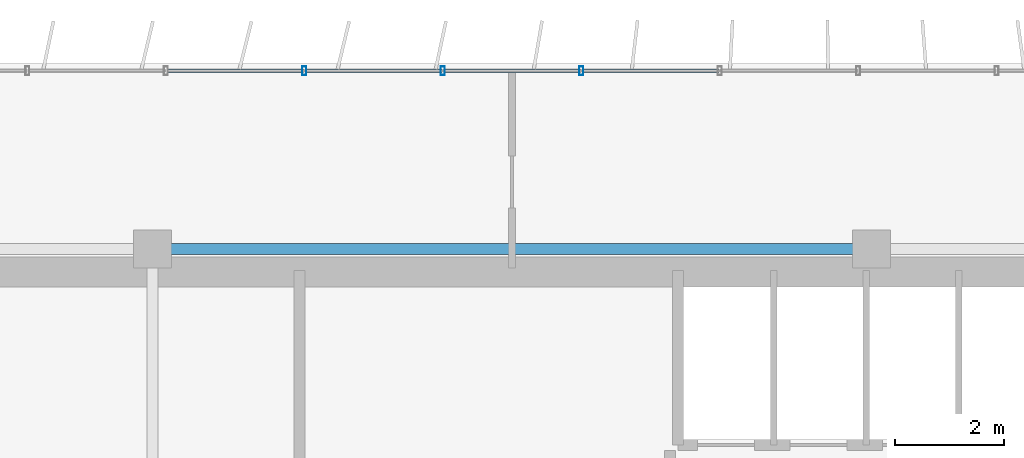
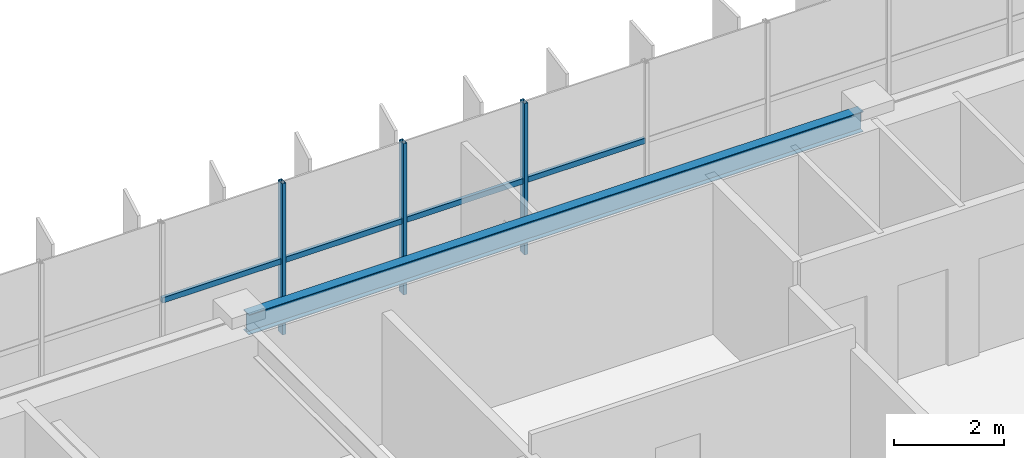
# One storey, part 9 of 23: 7 members, 1 beam, 1 element without a shape of its own.
"""IFC4 building model written with IfcOpenShell, lengths in metres."""

import ifcopenshell
import ifcopenshell.guid

model = None  # the IFC model being written
_history = None  # IfcOwnerHistory: only IFC2X3 demands one
_inside = {}  # id of a spatial element -> (the spatial element, [elements in it])
_under = {}  # id of a project, library or spatial element -> (it, [spatial elements below it])
_declared = {}  # id of a project -> (the project, [libraries it declares])
_typed = {}  # id of a type object -> (the type object, [elements of that type])
_made_of = {}  # id of a material, layer set ... -> (it, [elements and type objects made of it])


def new_model(schema):
    """Start an empty IFC model of exactly this schema.

    Asked for "IFC4X3", IfcOpenShell would pick the latest addendum, in which some entities
    have other attributes; the version numbers below select the first issue.
    IFC2X3 requires an IfcOwnerHistory on every rooted entity: one is made here for all.
    """
    global model, _history
    if schema == "IFC4X3":
        model = ifcopenshell.file(schema_version=(4, 3, 0, 0))
    else:
        model = ifcopenshell.file(schema=schema)
    _inside.clear()
    _under.clear()
    _declared.clear()
    _typed.clear()
    _made_of.clear()
    _history = None
    if model.schema == "IFC2X3":
        org = make("IfcOrganization", Name="unknown")
        user = make(
            "IfcPersonAndOrganization",
            ThePerson=make("IfcPerson", FamilyName="unknown"),
            TheOrganization=org,
        )
        app = make(
            "IfcApplication",
            ApplicationDeveloper=org,
            Version="unknown",
            ApplicationFullName="unknown",
            ApplicationIdentifier="unknown",
        )
        _history = make(
            "IfcOwnerHistory",
            OwningUser=user,
            OwningApplication=app,
            ChangeAction="ADDED",
            CreationDate=0,
        )
    return model


def make(cls, **values):
    """One entity of the class cls with the attributes given. An attribute that is None is left unset."""
    return model.create_entity(
        cls, **{name: value for name, value in values.items() if value is not None}
    )


def rooted(cls, **values):
    """An entity with a GlobalId (a new one), such as an element, a storey or a relation."""
    return make(cls, GlobalId=ifcopenshell.guid.new(), OwnerHistory=_history, **values)


def si_unit(unit_type, name, prefix=None):
    """IfcSIUnit, for example si_unit("LENGTHUNIT", "METRE", prefix="MILLI")."""
    return make("IfcSIUnit", UnitType=unit_type, Prefix=prefix, Name=name)


def assignment(units):
    """IfcUnitAssignment: the units of a project."""
    return None if units is None else make("IfcUnitAssignment", Units=units)


def point(xyz):
    """IfcCartesianPoint."""
    return None if xyz is None else make("IfcCartesianPoint", Coordinates=xyz)


def direction(xyz):
    """IfcDirection."""
    return None if xyz is None else make("IfcDirection", DirectionRatios=xyz)


def frame(location, z_axis=None, x_axis=None):
    """IfcAxis2Placement3D, a coordinate frame: its origin and axes. An axis left out is left unset."""
    return make(
        "IfcAxis2Placement3D",
        Location=point(location),
        Axis=direction(z_axis),
        RefDirection=direction(x_axis),
    )


def frame_2d(location, x_axis=None):
    """IfcAxis2Placement2D, a coordinate frame in the plane: its origin and x axis."""
    return make(
        "IfcAxis2Placement2D", Location=point(location), RefDirection=direction(x_axis)
    )


def origin():
    """The frame at (0, 0, 0) with its axes left unset."""
    return frame((0.0, 0.0, 0.0))


def origin_2d():
    """The frame at (0, 0) in the plane with its x axis left unset."""
    return frame_2d((0.0, 0.0))


def place(relative_to, where):
    """IfcLocalPlacement: puts the frame where relative to a parent placement (None: the world)."""
    return make(
        "IfcLocalPlacement", PlacementRelTo=relative_to, RelativePlacement=where
    )


def context(
    kind, dimensions, precision=None, world=None, true_north=None, identifier=None
):
    """IfcGeometricRepresentationContext, for example the 3D "Model" context."""
    return make(
        "IfcGeometricRepresentationContext",
        ContextIdentifier=identifier,
        ContextType=kind,
        CoordinateSpaceDimension=dimensions,
        Precision=precision,
        WorldCoordinateSystem=world,
        TrueNorth=true_north,
    )


def subcontext(parent, identifier, kind, view, scale=None):
    """IfcGeometricRepresentationSubContext, for example "Body" below "Model"."""
    return make(
        "IfcGeometricRepresentationSubContext",
        ContextIdentifier=identifier,
        ContextType=kind,
        ParentContext=parent,
        TargetScale=scale,
        TargetView=view,
    )


def project(units=None, contexts=None):
    """IfcProject with its units and contexts."""
    return rooted(
        "IfcProject",
        Name="project",
        RepresentationContexts=contexts,
        UnitsInContext=assignment(units),
    )


def spatial(cls, under=None, at=None, **own):
    """A site, building, storey or space (cls), placed at a placement, below another one or the project."""
    s = rooted(cls, ObjectPlacement=at, **own)
    if under is not None:
        _under.setdefault(under.id(), (under, []))[1].append(s)
    return s


def profile(cls, at=None, kind="AREA", **sizes):
    """A parametric profile (cls). Its sizes go by their IFC names, for example OverallWidth=200.0."""
    return make(cls, ProfileType=kind, Position=at, **sizes)


def hollow_rectangle(**sizes):
    """IfcRectangleHollowProfileDef."""
    return profile("IfcRectangleHollowProfileDef", **sizes)


def i_section(**sizes):
    """IfcIShapeProfileDef."""
    return profile("IfcIShapeProfileDef", **sizes)


def extrude(swept, where, along, depth):
    """IfcExtrudedAreaSolid: the profile swept, set in the frame where, extruded along a direction by depth."""
    return make(
        "IfcExtrudedAreaSolid",
        SweptArea=swept,
        Position=where,
        ExtrudedDirection=direction(along),
        Depth=depth,
    )


def shape(context_of_items, identifier, shape_type, items):
    """IfcShapeRepresentation: the items that make up one representation, for example the "Body"."""
    return make(
        "IfcShapeRepresentation",
        ContextOfItems=context_of_items,
        RepresentationIdentifier=identifier,
        RepresentationType=shape_type,
        Items=items,
    )


def source(mapping_origin, context_of_items, identifier, shape_type, items):
    """IfcRepresentationMap: a shape defined once, which mapped items show again and again."""
    return make(
        "IfcRepresentationMap",
        MappingOrigin=mapping_origin,
        MappedRepresentation=shape(context_of_items, identifier, shape_type, items),
    )


def transform(
    local_origin,
    x_axis=None,
    y_axis=None,
    z_axis=None,
    scale=None,
    scale2=None,
    scale3=None,
    uniform=True,
):
    """IfcCartesianTransformationOperator3D, or its non-uniform kind. x_axis, y_axis, z_axis: its Axis1, 2, 3."""
    if uniform:
        return make(
            "IfcCartesianTransformationOperator3D",
            Axis1=direction(x_axis),
            Axis2=direction(y_axis),
            LocalOrigin=point(local_origin),
            Scale=scale,
            Axis3=direction(z_axis),
        )
    return make(
        "IfcCartesianTransformationOperator3DnonUniform",
        Axis1=direction(x_axis),
        Axis2=direction(y_axis),
        LocalOrigin=point(local_origin),
        Scale=scale,
        Axis3=direction(z_axis),
        Scale2=scale2,
        Scale3=scale3,
    )


def mapped(mapping_source, mapping_target):
    """IfcMappedItem: shows the shape of a source again, moved by a transform."""
    return make(
        "IfcMappedItem", MappingSource=mapping_source, MappingTarget=mapping_target
    )


def material(Name=None, Category=None):
    """IfcMaterial."""
    return make("IfcMaterial", Name=Name, Category=Category)


def material_profile(
    of_material, cross_section, Name=None, Category=None, Priority=None
):
    """IfcMaterialProfile: a cross section and its material."""
    return make(
        "IfcMaterialProfile",
        Name=Name,
        Material=of_material,
        Profile=cross_section,
        Priority=Priority,
        Category=Category,
    )


def profile_set(profiles, Name=None, composite=None):
    """IfcMaterialProfileSet."""
    return make(
        "IfcMaterialProfileSet",
        Name=Name,
        MaterialProfiles=profiles,
        CompositeProfile=composite,
    )


def made_of(thing, what):
    """Note that an element or type object is made of a material, layer set ...; save() writes the relation."""
    if what is not None:
        _made_of.setdefault(what.id(), (what, []))[1].append(thing)
    return thing


def type_object(cls, material=None, **own):
    """A type object (cls), such as IfcWallType, which elements share."""
    return made_of(rooted(cls, **own), material)


def element(
    cls,
    number,
    at=None,
    inside=None,
    cuts=None,
    type_object=None,
    material=None,
    context=None,
    identifier="Body",
    shape_type=None,
    held_by="IfcProductDefinitionShape",
    body=None,
    shapes=None,
    **own,
):
    """One element of the class cls, such as IfcWall. Its Tag is "e" and its number.

    at: its placement. inside: the storey or other place that contains it. cuts: it is an
    opening in that element (IfcRelVoidsElement). A single representation is given by context,
    identifier, shape_type and body (its items); several are given by shapes. held_by: the class
    of the entity that holds the representations. save() writes the other relations.
    """
    e = rooted(cls, Tag="e%d" % number, ObjectPlacement=at, **own)
    if body is not None:
        shapes = [shape(context, identifier, shape_type, body)]
    if shapes is not None:
        e.Representation = make(held_by, Representations=shapes)
    if inside is not None:
        _inside.setdefault(inside.id(), (inside, []))[1].append(e)
    if cuts is not None:
        rooted(
            "IfcRelVoidsElement", RelatingBuildingElement=cuts, RelatedOpeningElement=e
        )
    if type_object is not None:
        _typed.setdefault(type_object.id(), (type_object, []))[1].append(e)
    return made_of(e, material)


def aggregate(whole, parts):
    """IfcRelAggregates: a whole, such as a stair, and the parts it consists of."""
    return rooted("IfcRelAggregates", RelatingObject=whole, RelatedObjects=parts)


def save(model, path):
    """Write the relations noted so far, then the file.

    IfcRelAggregates (storeys below a building ...), IfcRelContainedInSpatialStructure (elements
    in a storey), IfcRelDefinesByType, IfcRelAssociatesMaterial and IfcRelDeclares: one each for
    every whole, place, type object, material and project.
    """
    for whole, parts in _under.values():
        aggregate(whole, parts)
    for where, things in _inside.values():
        rooted(
            "IfcRelContainedInSpatialStructure",
            RelatedElements=things,
            RelatingStructure=where,
        )
    for kind, things in _typed.values():
        rooted("IfcRelDefinesByType", RelatedObjects=things, RelatingType=kind)
    for what, things in _made_of.values():
        rooted("IfcRelAssociatesMaterial", RelatedObjects=things, RelatingMaterial=what)
    for by, libraries in _declared.values():
        rooted("IfcRelDeclares", RelatingContext=by, RelatedDefinitions=libraries)
    model.write(path)


model = new_model("IFC4")

# Units and contexts
model_context = context("Model", 3, precision=1e-05, world=origin(), true_north=direction((0.0, 1.0)))
body_context = subcontext(model_context, "Body", "Model", "MODEL_VIEW")
ifc_project = project(units=[si_unit("LENGTHUNIT", "METRE"), si_unit("AREAUNIT", "SQUARE_METRE"), si_unit("VOLUMEUNIT", "CUBIC_METRE"), si_unit("PLANEANGLEUNIT", "RADIAN"), si_unit("MASSUNIT", "GRAM", prefix="KILO")], contexts=[model_context])

# Site, building, storey
site_placement = place(None, origin())
site = spatial("IfcSite", under=ifc_project, at=site_placement, CompositionType="ELEMENT")
building_placement = place(site_placement, origin())
building = spatial("IfcBuilding", under=site, at=building_placement, Name="Trelvane Seafront Commons", CompositionType="ELEMENT")
storey_placement = place(building_placement, frame((0.0, 0.0, 222.89990234375)))
storey = spatial("IfcBuildingStorey", under=building, at=storey_placement, Name="L58", CompositionType="ELEMENT", Elevation=222.89990234375)

# Beam
ifc_material_1 = material(Name="Steel SM355 (S355)", Category="steel")
ifc_material_profile_1 = material_profile(ifc_material_1, i_section(OverallWidth=0.199951171875, OverallDepth=0.449951171875, WebThickness=0.009033203125, FlangeThickness=0.013916015625, at=origin_2d()), Name="H-450x200x9x14")
ifc_profile_set_1 = profile_set([ifc_material_profile_1], Name="Steel SM355 (S355)")
beam_type = type_object("IfcBeamType", Name="STR-SPD-H450", PredefinedType="SPANDREL", material=ifc_profile_set_1)
shared_shape_1 = source(origin(), body_context, "Body", "SweptSolid", [
    extrude(i_section(OverallWidth=0.199951171875, OverallDepth=0.449951171875, WebThickness=0.009033203125, FlangeThickness=0.013916015625, at=origin_2d()), origin(), (0.0, 0.0, 1.0), 12.89990234375),
])
beam_placement = place(storey_placement, frame((30.75, 45.10009765625, 3.135009765625), z_axis=(1.0, 0.0, 0.0), x_axis=(0.0, 1.0, 0.0)))
element("IfcBeam", 1, at=beam_placement, inside=storey, type_object=beam_type, Name="L58 Primary Girder G-25", PredefinedType="SPANDREL", context=body_context, shape_type="MappedRepresentation", body=[
    mapped(shared_shape_1, transform((0.0, 0.0, 0.0), x_axis=(1.0, 0.0, 0.0), y_axis=(0.0, 1.0, 0.0), z_axis=(0.0, 0.0, 1.0), scale=1.0)),
])

# Curtain wall, members
ifc_material_2 = material(Name="Anodised pale-silver aluminium", Category="aluminium")
curtain_wall_type = type_object("IfcCurtainWallType", Name="ARCH-CW5-UPTOWER", PredefinedType="NOTDEFINED", material=ifc_material_2)
curtain_wall_placement = place(storey_placement, origin())
curtain_wall = element("IfcCurtainWall", 2, at=curtain_wall_placement, inside=storey, type_object=curtain_wall_type, Name="CW-L58-0101", PredefinedType="NOTDEFINED")
ifc_material_profile_2 = material_profile(ifc_material_2, hollow_rectangle(XDim=0.070068359375, YDim=0.1201171875, WallThickness=0.00390625, at=origin_2d()), Name="TRAN-70x120x4")
ifc_profile_set_2 = profile_set([ifc_material_profile_2], Name="Anodised pale-silver aluminium")
member_type_1 = type_object("IfcMemberType", Name="ARCH-CW-TRAN-120", PredefinedType="USERDEFINED", material=ifc_profile_set_2)
shared_shape_2 = source(origin(), body_context, "Body", "SweptSolid", [
    extrude(hollow_rectangle(XDim=0.070068359375, YDim=0.1201171875, WallThickness=0.00390625, at=origin_2d()), origin(), (0.0, 0.0, 1.0), 2.51708984375),
])
member_1_placement = place(storey_placement, frame((30.859130859375, 48.3701171875, 1.613037109375), z_axis=(1.0, 0.0, 0.0), x_axis=(0.0, 1.0, 0.0)))
member_1 = element("IfcMember", 3, at=member_1_placement, type_object=member_type_1, Name="CW-L58-0101-T06", ObjectType="TRANSOM", PredefinedType="USERDEFINED", context=body_context, shape_type="MappedRepresentation", body=[
    mapped(shared_shape_2, transform((0.0, 0.0, 0.0), x_axis=(1.0, 0.0, 0.0), y_axis=(0.0, 1.0, 0.0), z_axis=(0.0, 0.0, 1.0), scale=1.0)),
])
member_2_placement = place(storey_placement, frame((35.94140625, 48.3701171875, 1.613037109375), z_axis=(1.0, 0.0, 0.0), x_axis=(0.0, 1.0, 0.0)))
member_2 = element("IfcMember", 4, at=member_2_placement, type_object=member_type_1, Name="CW-L58-0101-T08", ObjectType="TRANSOM", PredefinedType="USERDEFINED", context=body_context, shape_type="MappedRepresentation", body=[
    mapped(shared_shape_2, transform((0.0, 0.0, 0.0), x_axis=(1.0, 0.0, 0.0), y_axis=(0.0, 1.0, 0.0), z_axis=(0.0, 0.0, 1.0), scale=1.0)),
])
member_3_placement = place(storey_placement, frame((38.482666015625, 48.3701171875, 1.613037109375), z_axis=(1.0, 0.0, 0.0), x_axis=(0.0, 1.0, 0.0)))
member_3 = element("IfcMember", 5, at=member_3_placement, type_object=member_type_1, Name="CW-L58-0101-T09", ObjectType="TRANSOM", PredefinedType="USERDEFINED", context=body_context, shape_type="MappedRepresentation", body=[
    mapped(shared_shape_2, transform((0.0, 0.0, 0.0), x_axis=(1.0, 0.0, 0.0), y_axis=(0.0, 1.0, 0.0), z_axis=(0.0, 0.0, 1.0), scale=1.0)),
])
shared_shape_3 = source(origin(), body_context, "Body", "SweptSolid", [
    extrude(hollow_rectangle(XDim=0.070068359375, YDim=0.1201171875, WallThickness=0.00390625, at=origin_2d()), origin(), (0.0, 0.0, 1.0), 2.517333984375),
])
member_4_placement = place(storey_placement, frame((33.400146484375, 48.3701171875, 1.613037109375), z_axis=(1.0, 0.0, 0.0), x_axis=(0.0, 1.0, 0.0)))
member_4 = element("IfcMember", 6, at=member_4_placement, type_object=member_type_1, Name="CW-L58-0101-T07", ObjectType="TRANSOM", PredefinedType="USERDEFINED", context=body_context, shape_type="MappedRepresentation", body=[
    mapped(shared_shape_3, transform((0.0, 0.0, 0.0), x_axis=(1.0, 0.0, 0.0), y_axis=(0.0, 1.0, 0.0), z_axis=(0.0, 0.0, 1.0), scale=1.0)),
])
ifc_material_profile_3 = material_profile(ifc_material_2, hollow_rectangle(XDim=0.074951171875, YDim=0.159912109375, WallThickness=0.00390625, at=origin_2d()), Name="MULL-75x160x4")
ifc_profile_set_3 = profile_set([ifc_material_profile_3], Name="Anodised pale-silver aluminium")
member_type_2 = type_object("IfcMemberType", Name="ARCH-CW-MULL-160", PredefinedType="MULLION", material=ifc_profile_set_3)
shared_shape_4 = source(origin(), body_context, "Body", "SweptSolid", [
    extrude(hollow_rectangle(XDim=0.074951171875, YDim=0.159912109375, WallThickness=0.00390625, at=origin_2d()), origin(), (0.0, 0.0, 1.0), 3.360107421875),
])
member_5_placement = place(storey_placement, frame((33.38818359375, 48.3701171875, 0.0), z_axis=(0.0, 0.0, 1.0), x_axis=(1.0, 0.0, 0.0)))
member_5 = element("IfcMember", 7, at=member_5_placement, type_object=member_type_2, Name="CW-L58-0101-M07", PredefinedType="MULLION", context=body_context, shape_type="MappedRepresentation", body=[
    mapped(shared_shape_4, transform((0.0, 0.0, 0.0), x_axis=(1.0, 0.0, 0.0), y_axis=(0.0, 1.0, 0.0), z_axis=(0.0, 0.0, 1.0), scale=1.0)),
])
member_6_placement = place(storey_placement, frame((35.929443359375, 48.3701171875, 0.0), z_axis=(0.0, 0.0, 1.0), x_axis=(1.0, 0.0, 0.0)))
member_6 = element("IfcMember", 8, at=member_6_placement, type_object=member_type_2, Name="CW-L58-0101-M08", PredefinedType="MULLION", context=body_context, shape_type="MappedRepresentation", body=[
    mapped(shared_shape_4, transform((0.0, 0.0, 0.0), x_axis=(1.0, 0.0, 0.0), y_axis=(0.0, 1.0, 0.0), z_axis=(0.0, 0.0, 1.0), scale=1.0)),
])
member_7_placement = place(storey_placement, frame((38.470703125, 48.3701171875, 0.0), z_axis=(0.0, 0.0, 1.0), x_axis=(1.0, 0.0, 0.0)))
member_7 = element("IfcMember", 9, at=member_7_placement, type_object=member_type_2, Name="CW-L58-0101-M09", PredefinedType="MULLION", context=body_context, shape_type="MappedRepresentation", body=[
    mapped(shared_shape_4, transform((0.0, 0.0, 0.0), x_axis=(1.0, 0.0, 0.0), y_axis=(0.0, 1.0, 0.0), z_axis=(0.0, 0.0, 1.0), scale=1.0)),
])
aggregate(curtain_wall, [member_5, member_6, member_7, member_1, member_4, member_2, member_3])

save(model, "model.ifc")
